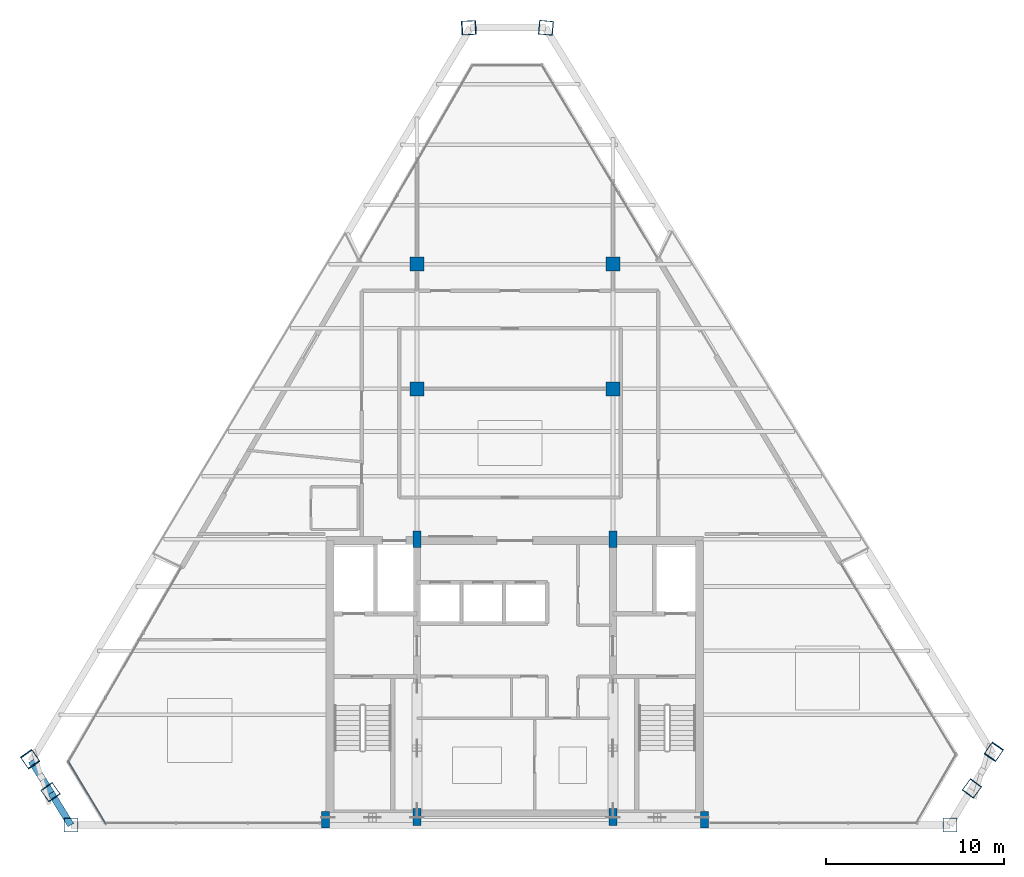
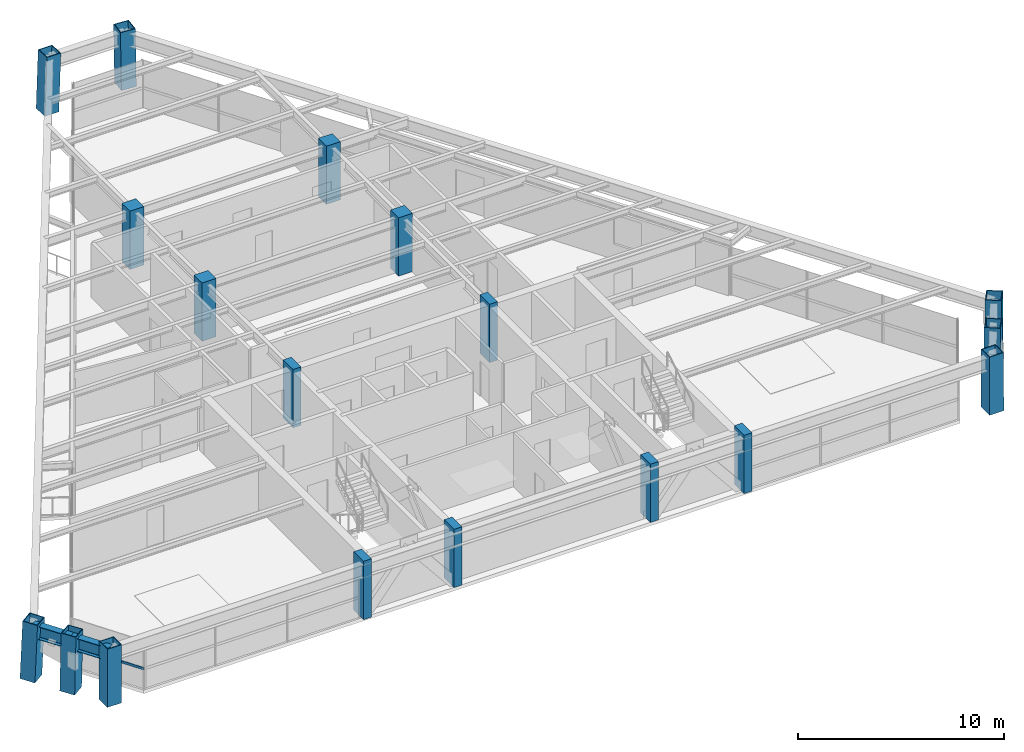
# One storey, part 1 of 13: 18 columns, 2 beams, 1 member, 1 element without a shape of its own.
"""IFC4 building model written with IfcOpenShell, lengths in metres."""

from ifc_helpers import new_model, si_unit, direction, frame, origin, origin_2d, place, context, subcontext, project, spatial, rectangle, hollow_rectangle, i_section, extrude, source, transform, mapped, material, material_profile, profile_set, type_object, type_shapes, element, aggregate, save


model = new_model("IFC4")

# Units and contexts
model_context = context("Model", 3, precision=1e-05, world=origin(), true_north=direction((0.0, 1.0)))
body_context = subcontext(model_context, "Body", "Model", "MODEL_VIEW")
ifc_project = project(units=[si_unit("LENGTHUNIT", "METRE"), si_unit("AREAUNIT", "SQUARE_METRE"), si_unit("VOLUMEUNIT", "CUBIC_METRE"), si_unit("PLANEANGLEUNIT", "RADIAN"), si_unit("MASSUNIT", "GRAM", prefix="KILO")], contexts=[model_context])

# Site, building, storey
site_placement = place(None, origin())
site = spatial("IfcSite", under=ifc_project, at=site_placement, CompositionType="ELEMENT")
building_placement = place(site_placement, origin())
building = spatial("IfcBuilding", under=site, at=building_placement, Name="Varnakhor Terracotta Tower", CompositionType="ELEMENT")
storey_placement = place(building_placement, frame((0.0, 0.0, 266.10009765625)))
storey = spatial("IfcBuildingStorey", under=building, at=storey_placement, Name="L69", CompositionType="ELEMENT", Elevation=266.10009765625)

# Columns
ifc_material_1 = material(Name="Concrete C50/60", Category="concrete")
ifc_material_profile_1 = material_profile(ifc_material_1, rectangle(XDim=0.449951171875, YDim=0.949951171875, at=origin_2d()), Name="RC PILASTER 950x450")
ifc_profile_set_1 = profile_set([ifc_material_profile_1], Name="Concrete C50/60")
column_type_1 = type_object("IfcColumnType", Name="COL-PIL-950x450", PredefinedType="PILASTER", material=ifc_profile_set_1)
shared_shape_1 = source(origin(), body_context, "Body", "SweptSolid", [
    extrude(rectangle(XDim=0.449951171875, YDim=0.949951171875, at=origin_2d()), origin(), (0.0, 0.0, 1.0), 3.449951171875),
])
for number, where, z_axis, x_axis, name in (
    (1, (-10.64990234375, 0.300048828125, 0.0), (0.0, 0.0, 1.0), (1.0, 0.0, 0.0), "L69 Core Pilaster CP1"),
    (2, (-5.5, 0.449951171875, 0.0), (0.0, 0.0, 1.0), (1.0, 0.0, 0.0), "L69 Core Pilaster CP2"),
    (3, (5.5, 0.449951171875, 0.0), (0.0, 0.0, 1.0), (1.0, 0.0, 0.0), "L69 Core Pilaster CP3"),
    (4, (10.64990234375, 0.300048828125, 0.0), (0.0, 0.0, 1.0), (1.0, 0.0, 0.0), "L69 Core Pilaster CP4"),
    (5, (-5.5, 16.050048828125, 0.0), (0.0, 0.0, 1.0), (1.0, 0.0, 0.0), "L69 Core Pilaster CP5"),
    (6, (5.5, 16.050048828125, 0.0), (0.0, 0.0, 1.0), (1.0, 0.0, 0.0), "L69 Core Pilaster CP6"),
):
    element("IfcColumn", number, at=place(storey_placement, frame(where, z_axis=z_axis, x_axis=x_axis)), inside=storey, type_object=column_type_1, Name=name, PredefinedType="PILASTER", context=body_context, shape_type="MappedRepresentation", body=[
        mapped(shared_shape_1, transform((0.0, 0.0, 0.0), scale=1.0)),
    ])
ifc_material_profile_2 = material_profile(ifc_material_1, rectangle(XDim=0.780029296875, YDim=0.780029296875, at=origin_2d()), Name="RC 780x780")
ifc_profile_set_2 = profile_set([ifc_material_profile_2], Name="Concrete C50/60")
column_type_2 = type_object("IfcColumnType", Name="COL-RC-780", PredefinedType="COLUMN", material=ifc_profile_set_2)
shared_shape_2 = source(origin(), body_context, "Body", "SweptSolid", [
    extrude(rectangle(XDim=0.780029296875, YDim=0.780029296875, at=origin_2d()), origin(), (0.0, 0.0, 1.0), 3.449951171875),
])
for number, where, z_axis, x_axis, name in (
    (7, (-5.5, 24.5, 0.0), (0.0, 0.0, 1.0), (1.0, 0.0, 0.0), "L69 Interior Tower Column IC1"),
    (8, (5.5, 24.5, 0.0), (0.0, 0.0, 1.0), (1.0, 0.0, 0.0), "L69 Interior Tower Column IC2"),
    (9, (-5.5, 31.5, 0.0), (0.0, 0.0, 1.0), (1.0, 0.0, 0.0), "L69 Interior Tower Column IC3"),
    (10, (5.5, 31.5, 0.0), (0.0, 0.0, 1.0), (1.0, 0.0, 0.0), "L69 Interior Tower Column IC4"),
):
    element("IfcColumn", number, at=place(storey_placement, frame(where, z_axis=z_axis, x_axis=x_axis)), inside=storey, type_object=column_type_2, Name=name, PredefinedType="COLUMN", context=body_context, shape_type="MappedRepresentation", body=[
        mapped(shared_shape_2, transform((0.0, 0.0, 0.0), scale=1.0)),
    ])
ifc_material_2 = material(Name="Steel S355", Category="steel")
ifc_material_profile_3 = material_profile(ifc_material_2, hollow_rectangle(XDim=0.800048828125, YDim=0.800048828125, WallThickness=0.0400390625, at=origin_2d()), Name="BOX 800x800x40")
ifc_profile_set_3 = profile_set([ifc_material_profile_3], Name="Steel S355")
column_type_3 = type_object("IfcColumnType", Name="COL-MEGA-800", PredefinedType="COLUMN", material=ifc_profile_set_3)
shared_shape_3 = source(origin(), body_context, "Body", "SweptSolid", [
    extrude(hollow_rectangle(XDim=0.800048828125, YDim=0.800048828125, WallThickness=0.0400390625, at=origin_2d()), origin(), (0.0, 0.0, 1.0), 3.44140625),
])
type_shapes(column_type_3, [shared_shape_3])
column_1_placement = place(storey_placement, frame((1.75146484375, 44.772216796875, 0.00439453125), z_axis=(-0.013904284712, 0.001276924106, 0.999902515414), x_axis=(-0.091451892446, -0.99580949552, 0.0)))
element("IfcColumn", 11, at=column_1_placement, inside=storey, type_object=column_type_3, Name="L69 Perimeter Mega-Column M5", PredefinedType="COLUMN", context=body_context, shape_type="MappedRepresentation", body=[
    mapped(shared_shape_3, transform((0.0, 0.0, 0.0), scale=1.0)),
])
shared_shape_4 = source(origin(), body_context, "Body", "SweptSolid", [
    extrude(hollow_rectangle(XDim=0.800048828125, YDim=0.800048828125, WallThickness=0.0400390625, at=origin_2d()), origin(), (0.0, 0.0, 1.0), 3.44189453125),
])
for number, where, z_axis, x_axis, name in (
    (12, (25.669921875, 2.06640625, 0.00439453125), (-0.011703999119, -0.01588906547, 0.999805258039), (0.805146172066, -0.593076421388, 0.0), "L69 Perimeter Mega-Column M3"),
    (13, (-26.087158203125, 1.858642578125, 0.00439453125), (0.011632927657, -0.016669134143, 0.999793386136), (0.820050783097, 0.572290759267, 0.0), "L69 Perimeter Mega-Column M8"),
):
    element("IfcColumn", number, at=place(storey_placement, frame(where, z_axis=z_axis, x_axis=x_axis)), inside=storey, type_object=column_type_3, Name=name, PredefinedType="COLUMN", context=body_context, shape_type="MappedRepresentation", body=[
        mapped(shared_shape_4, transform((0.0, 0.0, 0.0), scale=1.0)),
    ])
shared_shape_5 = source(origin(), body_context, "Body", "SweptSolid", [
    extrude(hollow_rectangle(XDim=0.800048828125, YDim=0.800048828125, WallThickness=0.0400390625, at=origin_2d()), origin(), (0.0, 0.0, 1.0), 3.441162109375),
])
for number, where, z_axis, x_axis, name in (
    (14, (-24.9365234375, 0.0, 0.00439453125), (7.0947144e-05, 0.0, 0.999999997483), (1.0, 0.0, 0.0), "L69 Perimeter Mega-Column M1"),
    (15, (24.430419921875, 0.0, 0.00439453125), (-0.001702728997, 0.0, 0.999998550356), (0.0, -1.0, 0.0), "L69 Perimeter Mega-Column M2"),
):
    element("IfcColumn", number, at=place(storey_placement, frame(where, z_axis=z_axis, x_axis=x_axis)), inside=storey, type_object=column_type_3, Name=name, PredefinedType="COLUMN", context=body_context, shape_type="MappedRepresentation", body=[
        mapped(shared_shape_5, transform((0.0, 0.0, 0.0), scale=1.0)),
    ])
shared_shape_6 = source(origin(), body_context, "Body", "SweptSolid", [
    extrude(hollow_rectangle(XDim=0.800048828125, YDim=0.800048828125, WallThickness=0.0400390625, at=origin_2d()), origin(), (0.0, 0.0, 1.0), 3.443603515625),
])
column_2_placement = place(storey_placement, frame((26.909423828125, 4.132568359375, 0.00439453125), z_axis=(-0.021693859304, -0.03161915441, 0.999264532315), x_axis=(0.82458099889, -0.565743914037, 0.0)))
element("IfcColumn", 16, at=column_2_placement, inside=storey, type_object=column_type_3, Name="L69 Perimeter Mega-Column M4", PredefinedType="COLUMN", context=body_context, shape_type="MappedRepresentation", body=[
    mapped(shared_shape_6, transform((0.0, 0.0, 0.0), scale=1.0)),
])
shared_shape_7 = source(origin(), body_context, "Body", "SweptSolid", [
    extrude(hollow_rectangle(XDim=0.800048828125, YDim=0.800048828125, WallThickness=0.0400390625, at=origin_2d()), origin(), (0.0, 0.0, 1.0), 3.443115234375),
])
column_3_placement = place(storey_placement, frame((-2.60986328125, 44.772216796875, 0.00439453125), z_axis=(0.033539092426, 0.001276329099, 0.999436591417), x_axis=(-0.038027442947, 0.999276695207, 0.0)))
element("IfcColumn", 17, at=column_3_placement, inside=storey, type_object=column_type_3, Name="L69 Perimeter Mega-Column M6", PredefinedType="COLUMN", context=body_context, shape_type="MappedRepresentation", body=[
    mapped(shared_shape_7, transform((0.0, 0.0, 0.0), scale=1.0)),
])
shared_shape_8 = source(origin(), body_context, "Body", "SweptSolid", [
    extrude(hollow_rectangle(XDim=0.800048828125, YDim=0.800048828125, WallThickness=0.0400390625, at=origin_2d()), origin(), (0.0, 0.0, 1.0), 3.444091796875),
])
column_4_placement = place(storey_placement, frame((-27.23779296875, 3.71728515625, 0.00439453125), z_axis=(0.023180598636, -0.033317679997, 0.999175956499), x_axis=(0.820869602105, 0.571115659337, 0.0)))
element("IfcColumn", 18, at=column_4_placement, inside=storey, type_object=column_type_3, Name="L69 Perimeter Mega-Column M7", PredefinedType="COLUMN", context=body_context, shape_type="MappedRepresentation", body=[
    mapped(shared_shape_8, transform((0.0, 0.0, 0.0), scale=1.0)),
])

# Beams
ifc_material_profile_4 = material_profile(ifc_material_2, i_section(OverallWidth=0.381103515625, OverallDepth=0.77294921875, WebThickness=0.01708984375, FlangeThickness=0.027099609375, FilletRadius=0.01806640625, at=origin_2d()), Name="W30X173")
ifc_profile_set_4 = profile_set([ifc_material_profile_4], Name="Steel S355")
beam_type = type_object("IfcBeamType", Name="BM-W30X173", PredefinedType="BEAM", material=ifc_profile_set_4)
shared_shape_9 = source(origin(), body_context, "Body", "SweptSolid", [
    extrude(i_section(OverallWidth=0.381103515625, OverallDepth=0.77294921875, WebThickness=0.01708984375, FlangeThickness=0.027099609375, FilletRadius=0.01806640625, at=origin_2d()), origin(), (0.0, 0.0, 1.0), 2.1162109375),
])
for number, where, z_axis, x_axis, name in (
    (19, (-27.157958984375, 3.6025390625, 2.853515625), (0.524908204998, -0.851158843181, 0.0), (0.851158843181, 0.524908204998, 0.0), "L69 Perimeter Spandrel 7"),
    (20, (-26.047119140625, 1.80126953125, 2.853515625), (0.524908204998, -0.851158843181, 0.0), (0.851158843181, 0.524908204998, 0.0), "L69 Perimeter Spandrel 8"),
):
    element("IfcBeam", number, at=place(storey_placement, frame(where, z_axis=z_axis, x_axis=x_axis)), inside=storey, type_object=beam_type, Name=name, PredefinedType="BEAM", context=body_context, shape_type="MappedRepresentation", body=[
        mapped(shared_shape_9, transform((0.0, 0.0, 0.0), scale=1.0)),
    ])

# Curtain wall, member
ifc_material_3 = material(Name="Anodised Aluminium Curtain Wall System", Category="aluminium")
curtain_wall_type = type_object("IfcCurtainWallType", Name="CW-SYS-HOTEL-LOGGIA", PredefinedType="NOTDEFINED", material=ifc_material_3)
curtain_wall_placement = place(storey_placement, origin())
curtain_wall = element("IfcCurtainWall", 21, at=curtain_wall_placement, inside=storey, type_object=curtain_wall_type, Name="L69 Facet Curtain Wall 6", PredefinedType="NOTDEFINED")
ifc_material_4 = material(Name="Anodised Aluminium 6063-T6", Category="aluminium")
ifc_material_profile_5 = material_profile(ifc_material_4, rectangle(XDim=0.06494140625, YDim=0.14501953125, at=origin_2d()), Name="ALU TRANSOM 65x145")
ifc_profile_set_5 = profile_set([ifc_material_profile_5], Name="Anodised Aluminium 6063-T6")
member_type = type_object("IfcMemberType", Name="CWT-04", PredefinedType="USERDEFINED", material=ifc_profile_set_5)
shared_shape_10 = source(origin(), body_context, "Body", "SweptSolid", [
    extrude(rectangle(XDim=0.06494140625, YDim=0.14501953125, at=origin_2d()), origin(), (0.0, 0.0, 1.0), 4.082763671875),
])
member_placement = place(storey_placement, frame((-22.987548828125, 0.08740234375, 1.184326171875), z_axis=(-0.514610068002, 0.857424327804, 0.0), x_axis=(-0.857424327804, -0.514610068002, 0.0)))
member = element("IfcMember", 22, at=member_placement, type_object=member_type, Name="L69 Facet Curtain Wall 6 Transom 1", ObjectType="TRANSOM", PredefinedType="USERDEFINED", context=body_context, shape_type="MappedRepresentation", body=[
    mapped(shared_shape_10, transform((0.0, 0.0, 0.0), scale=1.0)),
])
aggregate(curtain_wall, [member])

save(model, "model.ifc")
